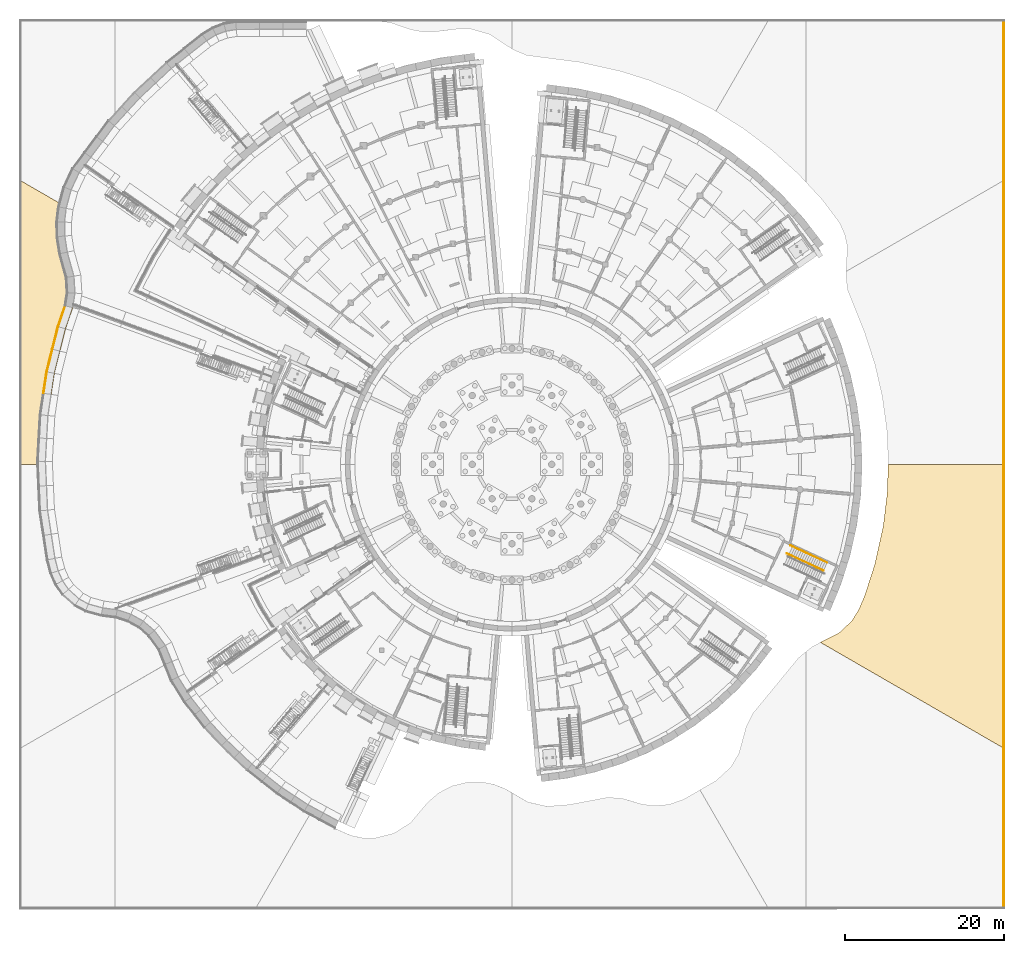
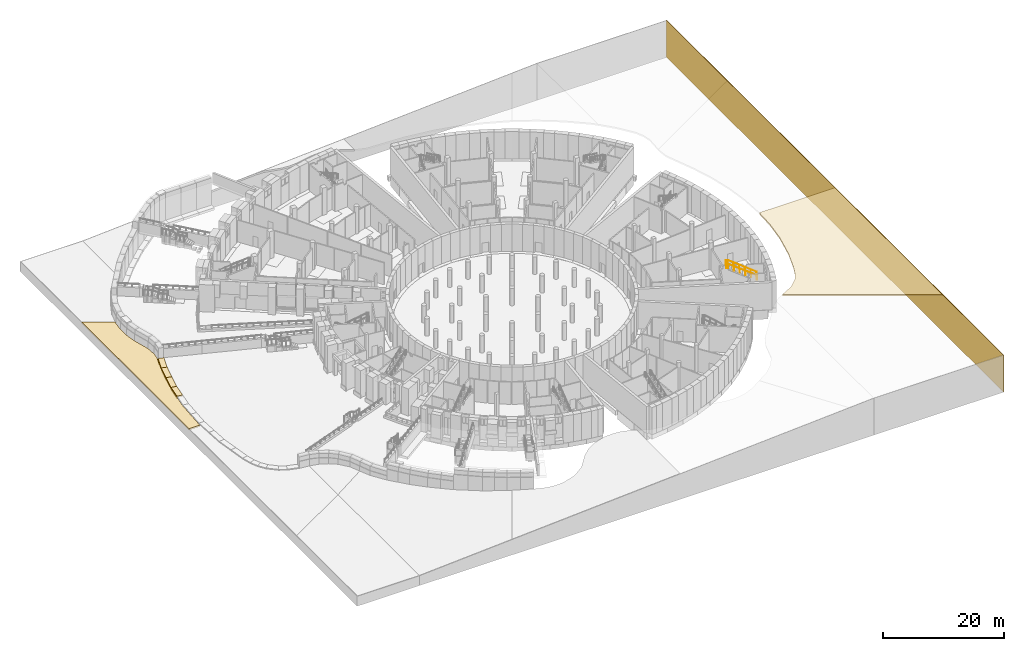
# One storey, part 57 of 65: 11 coverings, 2 railings.
"""IFC4 building model written with IfcOpenShell, lengths in metres."""

from ifc_helpers import new_model, si_unit, direction, frame, origin, origin_2d, place, context, subcontext, project, spatial, polyline, circle, outline, extrude, material, layer, layer_set, type_object, element, save


model = new_model("IFC4")

# Units and contexts
model_context = context("Model", 3, precision=1e-05, world=origin(), true_north=direction((0.0, 1.0)))
body_context = subcontext(model_context, "Body", "Model", "MODEL_VIEW")
ifc_project = project(units=[si_unit("LENGTHUNIT", "METRE"), si_unit("AREAUNIT", "SQUARE_METRE"), si_unit("VOLUMEUNIT", "CUBIC_METRE"), si_unit("PLANEANGLEUNIT", "RADIAN"), si_unit("MASSUNIT", "GRAM", prefix="KILO")], contexts=[model_context])

# Site, building, storey
site_placement = place(None, origin())
site = spatial("IfcSite", under=ifc_project, at=site_placement, CompositionType="ELEMENT")
building_placement = place(site_placement, origin())
building = spatial("IfcBuilding", under=site, at=building_placement, Name="Volute Hill Aquarium", CompositionType="ELEMENT")
storey_placement = place(building_placement, frame((0.0, 0.0, -5.5)))
storey = spatial("IfcBuildingStorey", under=building, at=storey_placement, Name="L00", CompositionType="ELEMENT", Elevation=-5.5)

# Railings
ifc_material_1 = material(Name="Stainless steel 1.4301", Category="steel")
railing_type = type_object("IfcRailingType", Name="Handrail 48 stainless", PredefinedType="HANDRAIL", material=ifc_material_1)
railing_1_placement = place(storey_placement, frame((39.220458984375, -13.37890625, 2.911865234375)))
element("IfcRailing", 1, at=railing_1_placement, inside=storey, type_object=railing_type, Name="hr/S4-A/L00/3", PredefinedType="HANDRAIL", context=body_context, shape_type="SweptSolid", body=[
    extrude(circle(Radius=0.02392578125, at=origin_2d()), frame((0.0, 0.0, 0.8759765625), z_axis=(-0.797708433047, 0.37203710173, 0.4746047311), x_axis=(-0.422673832866, -0.906281871721, 0.0)), (0.0, 0.0, 1.0), 5.453125),
    extrude(circle(Radius=0.02392578125, at=origin_2d()), frame((-4.35009765625, 2.02880859375, 3.4638671875), z_axis=(-0.906453195831, 0.422306291415, 0.0), x_axis=(-0.422306291415, -0.906453195831, 0.0)), (0.0, 0.0, 1.0), 0.300048828125),
    extrude(circle(Radius=0.02099609375, at=origin_2d()), origin(), (0.0, 0.0, 1.0), 0.851806640625),
    extrude(circle(Radius=0.02099609375, at=origin_2d()), frame((-0.8701171875, 0.40576171875, 0.517578125)), (0.0, 0.0, 1.0), 0.851806640625),
    extrude(circle(Radius=0.02099609375, at=origin_2d()), frame((-1.739990234375, 0.8115234375, 1.03515625)), (0.0, 0.0, 1.0), 0.851806640625),
    extrude(circle(Radius=0.02099609375, at=origin_2d()), frame((-2.610107421875, 1.21728515625, 1.552978515625)), (0.0, 0.0, 1.0), 0.851806640625),
    extrude(circle(Radius=0.02099609375, at=origin_2d()), frame((-3.47998046875, 1.623046875, 2.070556640625)), (0.0, 0.0, 1.0), 0.851806640625),
    extrude(circle(Radius=0.02099609375, at=origin_2d()), frame((-4.35009765625, 2.02880859375, 2.588134765625)), (0.0, 0.0, 1.0), 0.851806640625),
    extrude(circle(Radius=0.02099609375, at=origin_2d()), frame((-4.6220703125, 2.155517578125, 2.588134765625)), (0.0, 0.0, 1.0), 0.851806640625),
])
railing_2_placement = place(storey_placement, frame((39.685302734375, -12.3818359375, 2.911865234375)))
element("IfcRailing", 2, at=railing_2_placement, inside=storey, type_object=railing_type, Name="hr/S4-A/L00/4", PredefinedType="HANDRAIL", context=body_context, shape_type="SweptSolid", body=[
    extrude(circle(Radius=0.02392578125, at=origin_2d()), frame((0.0, 0.0, 0.8759765625), z_axis=(-0.797721719235, 0.371998527619, 0.474612635852), x_axis=(-0.422632055127, -0.906301354947, 0.0)), (0.0, 0.0, 1.0), 5.453125),
    extrude(circle(Radius=0.02392578125, at=origin_2d()), frame((-4.35009765625, 2.028564453125, 3.4638671875), z_axis=(-0.906453195831, 0.422306291415, 0.0), x_axis=(-0.422306291415, -0.906453195831, 0.0)), (0.0, 0.0, 1.0), 0.300048828125),
    extrude(circle(Radius=0.02099609375, at=origin_2d()), origin(), (0.0, 0.0, 1.0), 0.851806640625),
    extrude(circle(Radius=0.02099609375, at=origin_2d()), frame((-0.8701171875, 0.40576171875, 0.517578125)), (0.0, 0.0, 1.0), 0.851806640625),
    extrude(circle(Radius=0.02099609375, at=origin_2d()), frame((-1.739990234375, 0.8115234375, 1.03515625)), (0.0, 0.0, 1.0), 0.851806640625),
    extrude(circle(Radius=0.02099609375, at=origin_2d()), frame((-2.610107421875, 1.217041015625, 1.552978515625)), (0.0, 0.0, 1.0), 0.851806640625),
    extrude(circle(Radius=0.02099609375, at=origin_2d()), frame((-3.47998046875, 1.622802734375, 2.070556640625)), (0.0, 0.0, 1.0), 0.851806640625),
    extrude(circle(Radius=0.02099609375, at=origin_2d()), frame((-4.35009765625, 2.028564453125, 2.588134765625)), (0.0, 0.0, 1.0), 0.851806640625),
    extrude(circle(Radius=0.02099609375, at=origin_2d()), frame((-4.6220703125, 2.1552734375, 2.588134765625)), (0.0, 0.0, 1.0), 0.851806640625),
])

# Coverings
ifc_material_2 = material(Name="Planting soil and turf")
ifc_layer_1 = layer(ifc_material_2, 0.300048828125)
ifc_layer_set_1 = layer_set([ifc_layer_1], Name="Planted ground soil and turf build-up 300")
covering_type_1 = type_object("IfcCoveringType", Name="Planted ground soil and turf build-up 300", PredefinedType="CLADDING", material=ifc_layer_set_1)
covering_1_placement = place(storey_placement, frame((-57.367431640625, 30.5517578125, 0.0), z_axis=(0.0, 0.0, 1.0), x_axis=(0.115189028671, 0.99334358994, 0.0)))
element("IfcCovering", 3, at=covering_1_placement, inside=storey, type_object=covering_type_1, Name="tn/05/L00/0", PredefinedType="CLADDING", context=body_context, shape_type="SweptSolid", body=[
    extrude(outline(polyline([(0.0, 0.0), (1.8863355196051301, 0.0), (2.3917298159517775, -0.07485071835792434), (4.606786519055959, 5.046911593150436), (-30.86474672862585, 0.9336002458622525), (-30.62432900252619, -1.1396649764016638), (-30.237358907751112, -1.0770956549995288), (-24.381112497662528, -0.7263575376332243), (-18.90822830969343, -0.9101530233651574), (-13.088475667388046, -1.671116183479995), (-10.384653333416006, -2.2563835604130045), (-8.735585049954976, -2.3276455229743025), (-6.843199913435534, -1.991950477726676), (-3.9798064718422865, -0.8291838042044182), (-1.8711191318312068, -0.249910747486236), (0.0, 0.0)])), origin(), (0.0, 0.0, -1.0), 0.300048828125),
])
covering_2_placement = place(storey_placement, frame((38.83203125, -22.419677734375, 5.5), z_axis=(0.0, 0.0, 1.0), x_axis=(0.866024362014, -0.500001804394, 0.0)))
element("IfcCovering", 4, at=covering_2_placement, inside=storey, type_object=covering_type_1, Name="tn/211/L00/0", PredefinedType="CLADDING", context=body_context, shape_type="SweptSolid", body=[
    extrude(outline(polyline([(0.0, 0.0), (26.579005644492373, 0.0), (8.724326953154797, 30.92506184327239), (-3.8112488279669794, 23.687608967118056), (-2.0383102902492842, 20.34190276527823), (-0.4285355163461322, 16.534665192930206), (1.0239997757158434, 11.928487885176615), (1.8889675890577897, 7.8868790418127945), (2.128855832888508, 5.924024717452208), (2.0673005310383274, 4.338264409652455), (1.4906642175764593, 2.3062722148927035), (0.0, 0.0)])), origin(), (0.0, 0.0, -1.0), 0.300048828125),
])
ifc_material_3 = material(Name="Precast concrete C40/50", Category="concrete")
ifc_layer_2 = layer(ifc_material_3, 0.25)
ifc_layer_set_2 = layer_set([ifc_layer_2], Name="Plinth coping precast concrete C40/50 1000")
covering_type_2 = type_object("IfcCoveringType", Name="Plinth coping precast concrete C40/50 1000", PredefinedType="CLADDING", material=ifc_layer_set_2)
covering_3_placement = place(storey_placement, frame((0.0, 0.0, -0.10009765625)))
element("IfcCovering", 5, at=covering_3_placement, inside=storey, type_object=covering_type_2, Name="cp/E93LC/L00/0", PredefinedType="CLADDING", context=body_context, shape_type="SweptSolid", body=[
    extrude(outline(polyline([(-56.2734375, 19.96435546875), (-57.167236328125, 17.34375), (-56.207275390625, 17.060302734375), (-55.299560546875, 19.72216796875), (-55.299560546875, 19.72216796875), (-56.2734375, 19.96435546875), (-56.2734375, 19.96435546875)])), origin(), (0.0, 0.0, 1.0), 0.25),
])
covering_4_placement = place(storey_placement, frame((0.0, 0.0, -0.10009765625)))
element("IfcCovering", 6, at=covering_4_placement, inside=storey, type_object=covering_type_2, Name="cp/E94LC/L00/0", PredefinedType="CLADDING", context=body_context, shape_type="SweptSolid", body=[
    extrude(outline(polyline([(-57.167236328125, 17.34375), (-57.879150390625, 14.500732421875), (-56.9091796875, 14.2578125), (-56.207275390625, 17.060302734375), (-56.207275390625, 17.060302734375), (-57.167236328125, 17.34375), (-57.167236328125, 17.34375)])), origin(), (0.0, 0.0, 1.0), 0.25),
])
covering_5_placement = place(storey_placement, frame((0.0, 0.0, -0.10009765625)))
element("IfcCovering", 7, at=covering_5_placement, inside=storey, type_object=covering_type_2, Name="cp/E94LC/L00/1", PredefinedType="CLADDING", context=body_context, shape_type="SweptSolid", body=[
    extrude(outline(polyline([(-58.59228515625, 11.65478515625), (-58.59228515625, 11.65478515625), (-57.6103515625, 11.45849609375), (-57.6103515625, 11.45849609375), (-56.9091796875, 14.2578125), (-57.879150390625, 14.500732421875), (-58.59228515625, 11.65478515625)])), origin(), (0.0, 0.0, 1.0), 0.25),
])
covering_6_placement = place(storey_placement, frame((0.0, 0.0, -0.10009765625)))
element("IfcCovering", 8, at=covering_6_placement, inside=storey, type_object=covering_type_2, Name="cp/E95LC/L00/0", PredefinedType="CLADDING", context=body_context, shape_type="SweptSolid", body=[
    extrude(outline(polyline([(-58.59228515625, 11.65478515625), (-58.998291015625, 8.94921875), (-58.009521484375, 8.800537109375), (-57.6103515625, 11.45849609375), (-58.59228515625, 11.65478515625)])), origin(), (0.0, 0.0, 1.0), 0.25),
])
ifc_material_4 = material(Name="Precast concrete C40/50", Category="concrete")
ifc_layer_3 = layer(ifc_material_4, 0.10009765625)
ifc_layer_set_3 = layer_set([ifc_layer_3], Name="Retained ground face precast concrete C40/50 100")
covering_type_3 = type_object("IfcCoveringType", Name="Retained ground face precast concrete C40/50 100", PredefinedType="CLADDING", material=ifc_layer_set_3)
covering_7_placement = place(storey_placement, frame((0.0, 0.0, -0.35009765625)))
element("IfcCovering", 9, at=covering_7_placement, inside=storey, type_object=covering_type_3, Name="tg/E93LC/L00/0", PredefinedType="CLADDING", context=body_context, shape_type="SweptSolid", body=[
    extrude(outline(polyline([(-56.322265625, 19.976318359375), (-57.215087890625, 17.35791015625), (-57.119140625, 17.32958984375), (-56.224853515625, 19.9521484375), (-56.322265625, 19.976318359375), (-56.322265625, 19.976318359375)])), origin(), (0.0, 0.0, 1.0), 0.35009765625),
])
covering_8_placement = place(storey_placement, frame((0.0, 0.0, -0.35009765625)))
element("IfcCovering", 10, at=covering_8_placement, inside=storey, type_object=covering_type_3, Name="tg/E94LC/L00/0", PredefinedType="CLADDING", context=body_context, shape_type="SweptSolid", body=[
    extrude(outline(polyline([(-57.215087890625, 17.35791015625), (-57.927734375, 14.512939453125), (-57.830810546875, 14.48876953125), (-57.119140625, 17.32958984375), (-57.119140625, 17.32958984375), (-57.215087890625, 17.35791015625), (-57.215087890625, 17.35791015625)])), origin(), (0.0, 0.0, 1.0), 0.35009765625),
])
covering_9_placement = place(storey_placement, frame((0.0, 0.0, -0.35009765625)))
element("IfcCovering", 11, at=covering_9_placement, inside=storey, type_object=covering_type_3, Name="tg/E94LC/L00/1", PredefinedType="CLADDING", context=body_context, shape_type="SweptSolid", body=[
    extrude(outline(polyline([(-58.641357421875, 11.66455078125), (-58.641357421875, 11.66455078125), (-58.54296875, 11.64501953125), (-58.54296875, 11.64501953125), (-57.830810546875, 14.48876953125), (-57.927734375, 14.512939453125), (-58.641357421875, 11.66455078125)])), origin(), (0.0, 0.0, 1.0), 0.35009765625),
])
covering_10_placement = place(storey_placement, frame((0.0, 0.0, -0.35009765625)))
element("IfcCovering", 12, at=covering_10_placement, inside=storey, type_object=covering_type_3, Name="tg/E95LC/L00/0", PredefinedType="CLADDING", context=body_context, shape_type="SweptSolid", body=[
    extrude(outline(polyline([(-58.641357421875, 11.66455078125), (-59.0478515625, 8.95654296875), (-58.948974609375, 8.941650390625), (-58.54296875, 11.64501953125), (-58.641357421875, 11.66455078125)])), origin(), (0.0, 0.0, 1.0), 0.35009765625),
])
covering_11_placement = place(storey_placement, frame((61.949951171875, -55.949951171875, -2.0), z_axis=(1.0, 0.0, 0.0), x_axis=(0.0, 1.0, 0.0)))
element("IfcCovering", 13, at=covering_11_placement, inside=storey, type_object=covering_type_3, Name="tf/6/L00/0", PredefinedType="CLADDING", context=body_context, shape_type="SweptSolid", body=[
    extrude(outline(polyline([(0.0, 0.0), (111.89990234375, 0.0), (111.89990234375, 7.5), (0.0, 7.5), (0.0, 0.0)])), origin(), (0.0, 0.0, -1.0), 0.10009765625),
])

save(model, "model.ifc")
